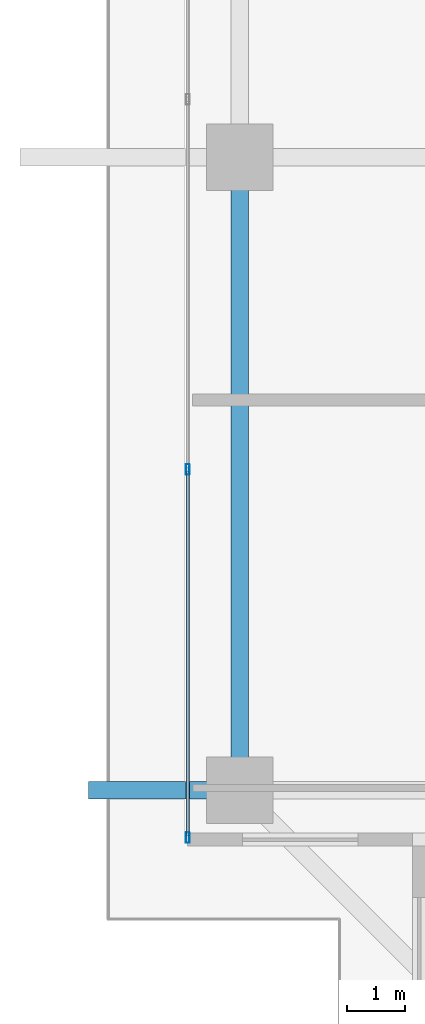
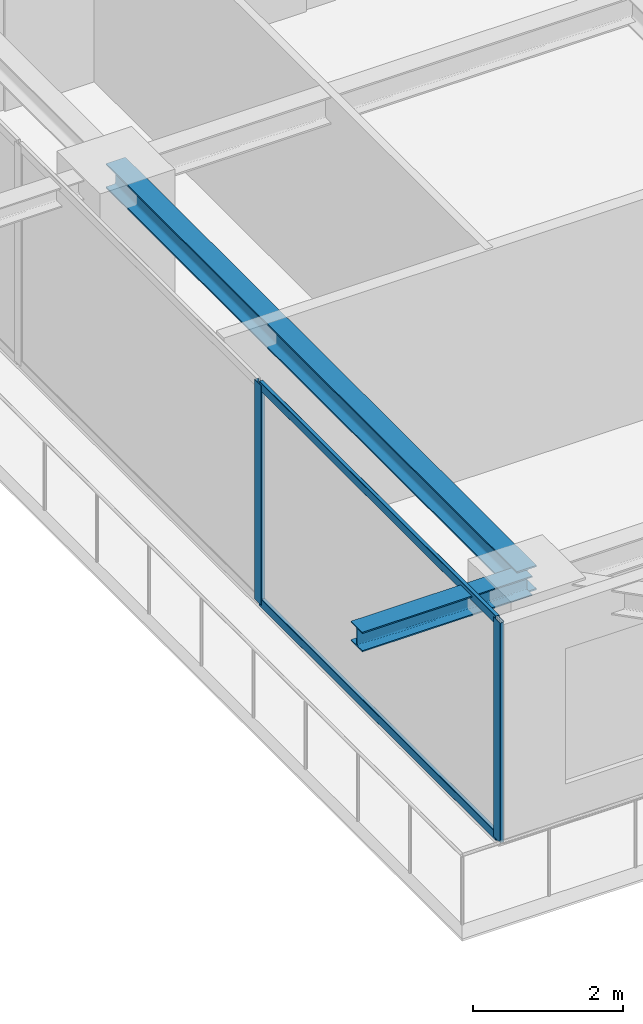
# One storey, part 3 of 37: 4 members, 2 beams, 1 element without a shape of its own.
"""IFC4 building model written with IfcOpenShell, lengths in metres."""

from ifc_helpers import new_model, si_unit, direction, frame, origin, origin_2d, place, context, subcontext, project, spatial, hollow_rectangle, i_section, extrude, source, transform, mapped, material, layer, layer_set, material_profile, profile_set, type_object, element, aggregate, save


model = new_model("IFC4")

# Units and contexts
model_context = context("Model", 3, precision=1e-05, world=origin(), true_north=direction((0.0, 1.0)))
body_context = subcontext(model_context, "Body", "Model", "MODEL_VIEW")
ifc_project = project(units=[si_unit("LENGTHUNIT", "METRE"), si_unit("AREAUNIT", "SQUARE_METRE"), si_unit("VOLUMEUNIT", "CUBIC_METRE"), si_unit("PLANEANGLEUNIT", "RADIAN"), si_unit("MASSUNIT", "GRAM", prefix="KILO")], contexts=[model_context])

# Site, building, storey
site_placement = place(None, origin())
site = spatial("IfcSite", under=ifc_project, at=site_placement, CompositionType="ELEMENT")
building_placement = place(site_placement, origin())
building = spatial("IfcBuilding", under=site, at=building_placement, Name="Serunith Strait Residences", CompositionType="ELEMENT")
storey_placement = place(building_placement, frame((0.0, 0.0, 279.75)))
storey = spatial("IfcBuildingStorey", under=building, at=storey_placement, Name="L70", CompositionType="ELEMENT", Elevation=279.75)

# Beams
ifc_material_1 = material(Name="Steel S355J2", Category="steel")
ifc_material_profile_1 = material_profile(ifc_material_1, i_section(OverallWidth=0.300048828125, OverallDepth=0.39990234375, WebThickness=0.013427734375, FlangeThickness=0.02392578125, FilletRadius=0.027099609375, at=origin_2d()), Name="HEB 400")
ifc_profile_set_1 = profile_set([ifc_material_profile_1], Name="Steel S355J2")
beam_type_1 = type_object("IfcBeamType", Name="BM-HEB400", PredefinedType="BEAM", material=ifc_profile_set_1)
shared_shape_1 = source(origin(), body_context, "Body", "SweptSolid", [
    extrude(i_section(OverallWidth=0.300048828125, OverallDepth=0.39990234375, WebThickness=0.013427734375, FlangeThickness=0.02392578125, FilletRadius=0.027099609375, at=origin_2d()), origin(), (0.0, 0.0, 1.0), 10.949951171875),
])
beam_1_placement = place(storey_placement, frame((8.300048828125, 21.0, 3.386962890625), z_axis=(0.0, -1.0, 0.0), x_axis=(1.0, 0.0, 0.0)))
element("IfcBeam", 1, at=beam_1_placement, inside=storey, type_object=beam_type_1, Name="L70 Perimeter Ring Beam 15", PredefinedType="BEAM", context=body_context, shape_type="MappedRepresentation", body=[
    mapped(shared_shape_1, transform((0.0, 0.0, 0.0), scale=1.0)),
])
ifc_material_profile_2 = material_profile(ifc_material_1, i_section(OverallWidth=0.300048828125, OverallDepth=0.320068359375, WebThickness=0.011474609375, FlangeThickness=0.0205078125, FilletRadius=0.027099609375, at=origin_2d()), Name="HEB 320")
ifc_profile_set_2 = profile_set([ifc_material_profile_2], Name="Steel S355J2")
beam_type_2 = type_object("IfcBeamType", Name="BM-HEB320", PredefinedType="BEAM", material=ifc_profile_set_2)
shared_shape_2 = source(origin(), body_context, "Body", "SweptSolid", [
    extrude(i_section(OverallWidth=0.300048828125, OverallDepth=0.320068359375, WebThickness=0.011474609375, FlangeThickness=0.0205078125, FilletRadius=0.027099609375, at=origin_2d()), origin(), (0.0, 0.0, 1.0), 2.616943359375),
])
beam_2_placement = place(storey_placement, frame((8.300048828125, 10.050048828125, 3.39697265625), z_axis=(-1.0, 0.0, 0.0), x_axis=(0.0, -1.0, 0.0)))
element("IfcBeam", 2, at=beam_2_placement, inside=storey, type_object=beam_type_2, Name="L71 Cantilevered Balcony Rib TC-W1", PredefinedType="BEAM", context=body_context, shape_type="MappedRepresentation", body=[
    mapped(shared_shape_2, transform((0.0, 0.0, 0.0), scale=1.0)),
])

# Curtain wall, members
ifc_material_2 = material(Name="Pale-Champagne Anodised Aluminium", Category="aluminium")
ifc_layer = layer(ifc_material_2, 0.199951171875, Name="Pale-Champagne Anodised Aluminium")
ifc_layer_set = layer_set([ifc_layer], Name="Pale-Champagne Anodised Aluminium")
curtain_wall_type = type_object("IfcCurtainWallType", Name="CW-SYS4", PredefinedType="NOTDEFINED", material=ifc_layer_set)
curtain_wall_placement = place(storey_placement, origin())
curtain_wall = element("IfcCurtainWall", 3, at=curtain_wall_placement, inside=storey, type_object=curtain_wall_type, Name="L70 W Unitised Fritted Curtain Wall", PredefinedType="NOTDEFINED")
ifc_material_profile_3 = material_profile(ifc_material_2, hollow_rectangle(XDim=0.06494140625, YDim=0.179931640625, WallThickness=0.00341796875, InnerFilletRadius=0.00537109375, OuterFilletRadius=0.0087890625, at=origin_2d()), Name="ALU 180x65x3.5")
ifc_profile_set_3 = profile_set([ifc_material_profile_3], Name="Pale-Champagne Anodised Aluminium")
member_type_1 = type_object("IfcMemberType", Name="CW-SYS4-MULL", PredefinedType="MULLION", material=ifc_profile_set_3)
shared_shape_3 = source(origin(), body_context, "Body", "SweptSolid", [
    extrude(hollow_rectangle(XDim=0.06494140625, YDim=0.179931640625, WallThickness=0.00341796875, InnerFilletRadius=0.00537109375, OuterFilletRadius=0.0087890625, at=origin_2d()), origin(), (0.0, 0.0, 1.0), 3.574951171875),
])
member_1_placement = place(storey_placement, frame((7.39990234375, 15.60009765625, 0.0), z_axis=(0.0, 0.0, 1.0), x_axis=(1.0, 0.0, 0.0)))
member_1 = element("IfcMember", 4, at=member_1_placement, type_object=member_type_1, Name="CW-4 mullion 5", PredefinedType="MULLION", context=body_context, shape_type="MappedRepresentation", body=[
    mapped(shared_shape_3, transform((0.0, 0.0, 0.0), scale=1.0)),
])
member_2_placement = place(storey_placement, frame((7.39990234375, 9.232421875, 0.0), z_axis=(0.0, 0.0, 1.0), x_axis=(1.0, 0.0, 0.0)))
member_2 = element("IfcMember", 5, at=member_2_placement, type_object=member_type_1, Name="CW-4 mullion 6", PredefinedType="MULLION", context=body_context, shape_type="MappedRepresentation", body=[
    mapped(shared_shape_3, transform((0.0, 0.0, 0.0), scale=1.0)),
])
ifc_material_profile_4 = material_profile(ifc_material_2, hollow_rectangle(XDim=0.06005859375, YDim=0.139892578125, WallThickness=0.00341796875, InnerFilletRadius=0.00537109375, OuterFilletRadius=0.0087890625, at=origin_2d()), Name="ALU 140x60x3.5")
ifc_profile_set_4 = profile_set([ifc_material_profile_4], Name="Pale-Champagne Anodised Aluminium")
member_type_2 = type_object("IfcMemberType", Name="CW-SYS4-TRAN", PredefinedType="USERDEFINED", material=ifc_profile_set_4)
shared_shape_4 = source(origin(), body_context, "Body", "SweptSolid", [
    extrude(hollow_rectangle(XDim=0.06005859375, YDim=0.139892578125, WallThickness=0.00341796875, InnerFilletRadius=0.00537109375, OuterFilletRadius=0.0087890625, at=origin_2d()), origin(), (0.0, 0.0, 1.0), 6.302490234375),
])
member_3_placement = place(storey_placement, frame((7.39990234375, 15.5673828125, 0.030029296875), z_axis=(0.0, -1.0, 0.0), x_axis=(1.0, 0.0, 0.0)))
member_3 = element("IfcMember", 6, at=member_3_placement, type_object=member_type_2, Name="CW-4 transom 5.1", ObjectType="TRANSOM", PredefinedType="USERDEFINED", context=body_context, shape_type="MappedRepresentation", body=[
    mapped(shared_shape_4, transform((0.0, 0.0, 0.0), scale=1.0)),
])
member_4_placement = place(storey_placement, frame((7.39990234375, 15.5673828125, 3.544921875), z_axis=(0.0, -1.0, 0.0), x_axis=(1.0, 0.0, 0.0)))
member_4 = element("IfcMember", 7, at=member_4_placement, type_object=member_type_2, Name="CW-4 transom 5.2", ObjectType="TRANSOM", PredefinedType="USERDEFINED", context=body_context, shape_type="MappedRepresentation", body=[
    mapped(shared_shape_4, transform((0.0, 0.0, 0.0), scale=1.0)),
])
aggregate(curtain_wall, [member_1, member_2, member_3, member_4])

save(model, "model.ifc")
